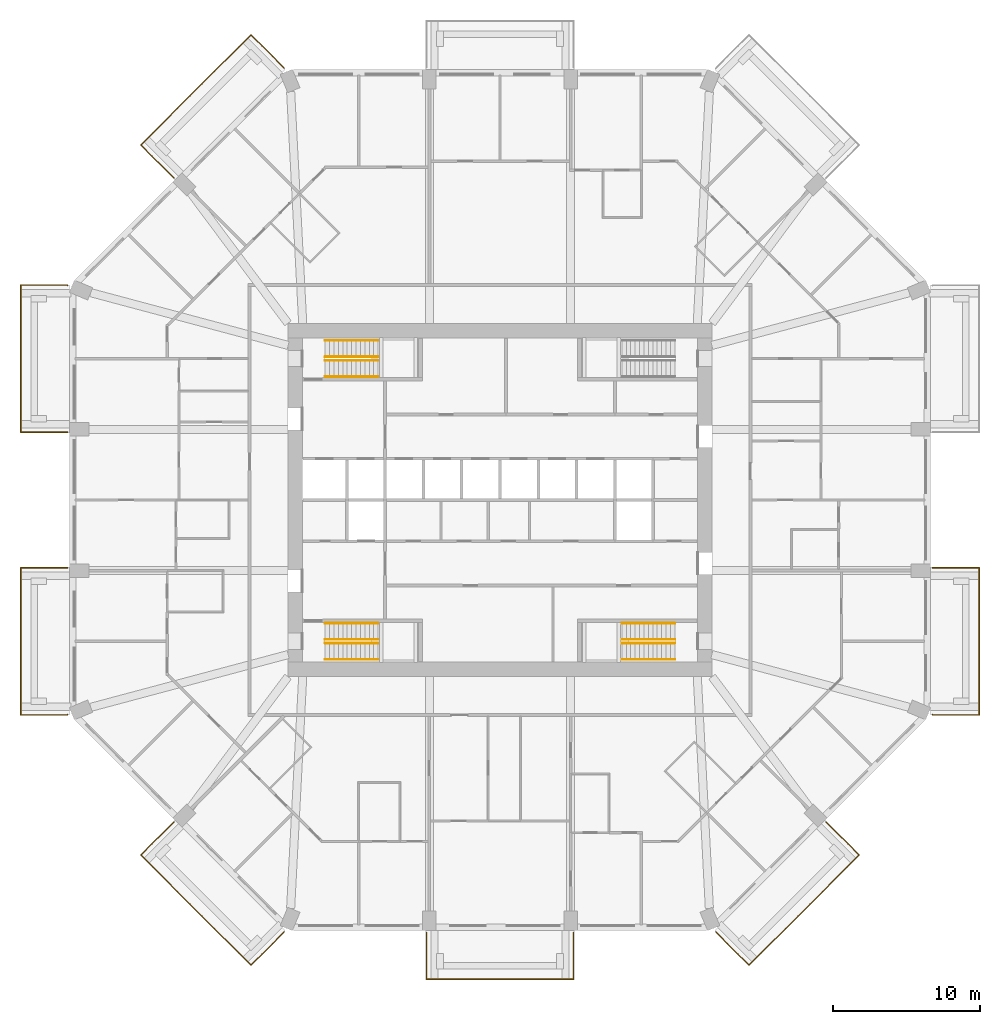
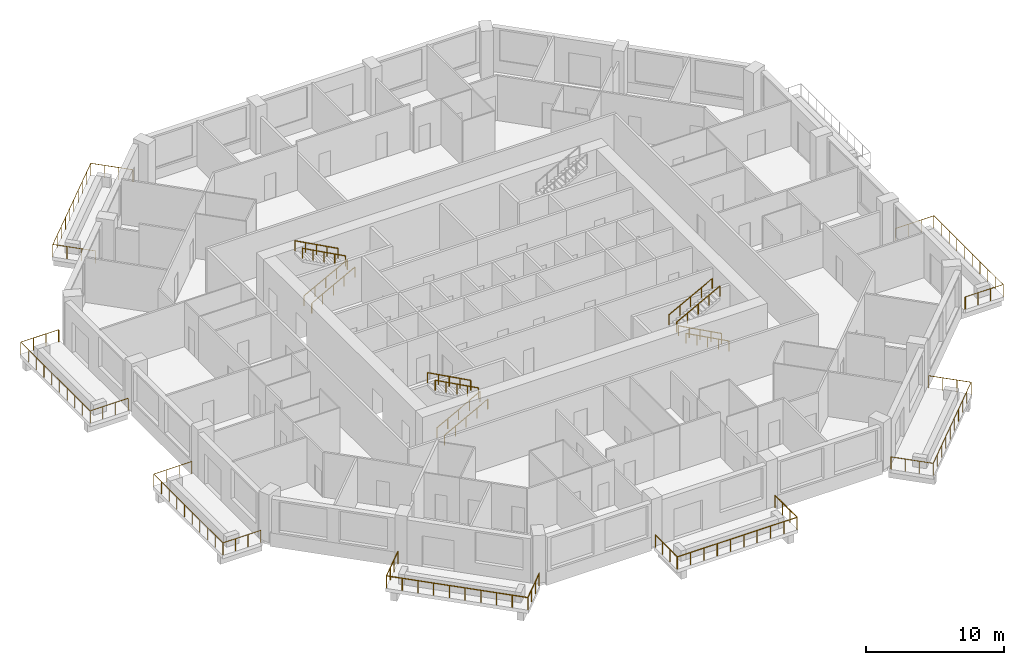
# One storey, part 12 of 13: 19 railings.
"""IFC4 building model written with IfcOpenShell, lengths in metres."""

from ifc_helpers import new_model, si_unit, direction, frame, origin, origin_2d, place, context, subcontext, project, spatial, circle, extrude, material, constituent, constituent_set, type_object, element, save


model = new_model("IFC4")

# Units and contexts
model_context = context("Model", 3, precision=1e-05, world=origin(), true_north=direction((0.0, 1.0)))
body_context = subcontext(model_context, "Body", "Model", "MODEL_VIEW")
ifc_project = project(units=[si_unit("LENGTHUNIT", "METRE"), si_unit("AREAUNIT", "SQUARE_METRE"), si_unit("VOLUMEUNIT", "CUBIC_METRE"), si_unit("PLANEANGLEUNIT", "RADIAN"), si_unit("MASSUNIT", "GRAM", prefix="KILO")], contexts=[model_context])

# Site, building, storey
site_placement = place(None, origin())
site = spatial("IfcSite", under=ifc_project, at=site_placement, CompositionType="ELEMENT")
building_placement = place(site_placement, origin())
building = spatial("IfcBuilding", under=site, at=building_placement, Name="Msitu Wima Residences", CompositionType="ELEMENT")
storey_placement = place(building_placement, frame((0.0, 0.0, 59.10009765625)))
storey = spatial("IfcBuildingStorey", under=building, at=storey_placement, Name="L13", CompositionType="ELEMENT", Elevation=59.10009765625)

# Railings
ifc_material_1 = material(Name="Steel S355", Category="steel")
ifc_constituent_1 = constituent(ifc_material_1, Name="Steel S355")
ifc_material_2 = material(Name="Weathering patina")
ifc_constituent_2 = constituent(ifc_material_2, Name="Weathering patina")
ifc_constituent_set_1 = constituent_set(constituents=[ifc_constituent_1, ifc_constituent_2], Name="Steel S355")
railing_type_1 = type_object("IfcRailingType", Name="Balcony guard GR1100", PredefinedType="GUARDRAIL", material=ifc_constituent_set_1)
railing_1_placement = place(storey_placement, frame((29.3798828125, -4.60009765625, 0.0)))
element("IfcRailing", 1, at=railing_1_placement, inside=storey, type_object=railing_type_1, Name="Balcony guard E0 L13", PredefinedType="GUARDRAIL", context=body_context, shape_type="SweptSolid", body=[
    extrude(circle(Radius=0.02392578125, at=origin_2d()), frame((0.0, 0.0, 1.076171875), z_axis=(1.0, 0.0, 0.0), x_axis=(0.0, 1.0, 0.0)), (0.0, 0.0, 1.0), 3.170166015625),
    extrude(circle(Radius=0.02392578125, at=origin_2d()), frame((3.170166015625, 0.0, 1.076171875), z_axis=(0.0, -1.0, 0.0), x_axis=(1.0, 0.0, 0.0)), (0.0, 0.0, 1.0), 10.0),
    extrude(circle(Radius=0.02392578125, at=origin_2d()), frame((3.170166015625, -10.0, 1.076171875), z_axis=(-1.0, 0.0, 0.0), x_axis=(0.0, -1.0, 0.0)), (0.0, 0.0, 1.0), 3.136474609375),
    extrude(circle(Radius=0.02392578125, at=origin_2d()), frame((0.03369140625, -10.0, 1.076171875), z_axis=(-0.92426142649, 0.38176015442, 0.0), x_axis=(-0.38176015442, -0.92426142649, 0.0)), (0.0, 0.0, 1.0), 0.036376953125),
    extrude(circle(Radius=0.02099609375, at=origin_2d()), origin(), (0.0, 0.0, 1.0), 1.052001953125),
    extrude(circle(Radius=0.02099609375, at=origin_2d()), frame((1.056640625, 0.0, 0.0)), (0.0, 0.0, 1.0), 1.052001953125),
    extrude(circle(Radius=0.02099609375, at=origin_2d()), frame((2.113525390625, 0.0, 0.0)), (0.0, 0.0, 1.0), 1.052001953125),
    extrude(circle(Radius=0.02099609375, at=origin_2d()), frame((3.170166015625, 0.0, 0.0)), (0.0, 0.0, 1.0), 1.052001953125),
    extrude(circle(Radius=0.02099609375, at=origin_2d()), frame((3.170166015625, -1.111083984375, 0.0)), (0.0, 0.0, 1.0), 1.052001953125),
    extrude(circle(Radius=0.02099609375, at=origin_2d()), frame((3.170166015625, -2.22216796875, 0.0)), (0.0, 0.0, 1.0), 1.052001953125),
    extrude(circle(Radius=0.02099609375, at=origin_2d()), frame((3.170166015625, -3.333251953125, 0.0)), (0.0, 0.0, 1.0), 1.052001953125),
    extrude(circle(Radius=0.02099609375, at=origin_2d()), frame((3.170166015625, -4.4443359375, 0.0)), (0.0, 0.0, 1.0), 1.052001953125),
    extrude(circle(Radius=0.02099609375, at=origin_2d()), frame((3.170166015625, -5.5556640625, 0.0)), (0.0, 0.0, 1.0), 1.052001953125),
    extrude(circle(Radius=0.02099609375, at=origin_2d()), frame((3.170166015625, -6.666748046875, 0.0)), (0.0, 0.0, 1.0), 1.052001953125),
    extrude(circle(Radius=0.02099609375, at=origin_2d()), frame((3.170166015625, -7.77783203125, 0.0)), (0.0, 0.0, 1.0), 1.052001953125),
    extrude(circle(Radius=0.02099609375, at=origin_2d()), frame((3.170166015625, -8.888916015625, 0.0)), (0.0, 0.0, 1.0), 1.052001953125),
    extrude(circle(Radius=0.02099609375, at=origin_2d()), frame((3.170166015625, -10.0, 0.0)), (0.0, 0.0, 1.0), 1.052001953125),
    extrude(circle(Radius=0.02099609375, at=origin_2d()), frame((2.124755859375, -10.0, 0.0)), (0.0, 0.0, 1.0), 1.052001953125),
    extrude(circle(Radius=0.02099609375, at=origin_2d()), frame((1.0791015625, -10.0, 0.0)), (0.0, 0.0, 1.0), 1.052001953125),
    extrude(circle(Radius=0.02099609375, at=origin_2d()), frame((0.03369140625, -10.0, 0.0)), (0.0, 0.0, 1.0), 1.052001953125),
    extrude(circle(Radius=0.02099609375, at=origin_2d()), frame((0.0, -9.986083984375, 0.0)), (0.0, 0.0, 1.0), 1.052001953125),
])
railing_2_placement = place(storey_placement, frame((-22.151611328125, 21.86865234375, 0.0)))
element("IfcRailing", 2, at=railing_2_placement, inside=storey, type_object=railing_type_1, Name="Balcony guard NW0 L13", PredefinedType="GUARDRAIL", context=body_context, shape_type="SweptSolid", body=[
    extrude(circle(Radius=0.02392578125, at=origin_2d()), frame((0.0, 0.0, 1.076171875), z_axis=(-0.707068272989, 0.707145287287, 0.0), x_axis=(-0.707145287287, -0.707068272989, 0.0)), (0.0, 0.0, 1.0), 3.170166015625),
    extrude(circle(Radius=0.02392578125, at=origin_2d()), frame((-2.241455078125, 2.24169921875, 1.076171875), z_axis=(0.707118316465, 0.70709524572, 0.0), x_axis=(-0.70709524572, 0.707118316465, 0.0)), (0.0, 0.0, 1.0), 10.582275390625),
    extrude(circle(Radius=0.02392578125, at=origin_2d()), frame((5.241455078125, 9.724365234375, 1.076171875), z_axis=(0.707106781187, -0.707106781187, 0.0), x_axis=(0.707106781187, 0.707106781187, 0.0)), (0.0, 0.0, 1.0), 3.136474609375),
    extrude(circle(Radius=0.02392578125, at=origin_2d()), frame((7.459228515625, 7.506591796875, 1.076171875), z_axis=(0.384136806859, -0.923276184907, 0.0), x_axis=(0.923276184907, 0.384136806859, 0.0)), (0.0, 0.0, 1.0), 0.0361328125),
    extrude(circle(Radius=0.02099609375, at=origin_2d()), origin(), (0.0, 0.0, 1.0), 1.052001953125),
    extrude(circle(Radius=0.02099609375, at=origin_2d()), frame((-0.7470703125, 0.747314453125, 0.0)), (0.0, 0.0, 1.0), 1.052001953125),
    extrude(circle(Radius=0.02099609375, at=origin_2d()), frame((-1.494384765625, 1.494384765625, 0.0)), (0.0, 0.0, 1.0), 1.052001953125),
    extrude(circle(Radius=0.02099609375, at=origin_2d()), frame((-2.241455078125, 2.24169921875, 0.0)), (0.0, 0.0, 1.0), 1.052001953125),
    extrude(circle(Radius=0.02099609375, at=origin_2d()), frame((-1.409912109375, 3.072998046875, 0.0)), (0.0, 0.0, 1.0), 1.052001953125),
    extrude(circle(Radius=0.02099609375, at=origin_2d()), frame((-0.57861328125, 3.904541015625, 0.0)), (0.0, 0.0, 1.0), 1.052001953125),
    extrude(circle(Radius=0.02099609375, at=origin_2d()), frame((0.2529296875, 4.73583984375, 0.0)), (0.0, 0.0, 1.0), 1.052001953125),
    extrude(circle(Radius=0.02099609375, at=origin_2d()), frame((1.084228515625, 5.5673828125, 0.0)), (0.0, 0.0, 1.0), 1.052001953125),
    extrude(circle(Radius=0.02099609375, at=origin_2d()), frame((1.915771484375, 6.398681640625, 0.0)), (0.0, 0.0, 1.0), 1.052001953125),
    extrude(circle(Radius=0.02099609375, at=origin_2d()), frame((2.7470703125, 7.230224609375, 0.0)), (0.0, 0.0, 1.0), 1.052001953125),
    extrude(circle(Radius=0.02099609375, at=origin_2d()), frame((3.57861328125, 8.0615234375, 0.0)), (0.0, 0.0, 1.0), 1.052001953125),
    extrude(circle(Radius=0.02099609375, at=origin_2d()), frame((4.409912109375, 8.89306640625, 0.0)), (0.0, 0.0, 1.0), 1.052001953125),
    extrude(circle(Radius=0.02099609375, at=origin_2d()), frame((5.241455078125, 9.724365234375, 0.0)), (0.0, 0.0, 1.0), 1.052001953125),
    extrude(circle(Radius=0.02099609375, at=origin_2d()), frame((5.980712890625, 8.985107421875, 0.0)), (0.0, 0.0, 1.0), 1.052001953125),
    extrude(circle(Radius=0.02099609375, at=origin_2d()), frame((6.719970703125, 8.245849609375, 0.0)), (0.0, 0.0, 1.0), 1.052001953125),
    extrude(circle(Radius=0.02099609375, at=origin_2d()), frame((7.459228515625, 7.506591796875, 0.0)), (0.0, 0.0, 1.0), 1.052001953125),
    extrude(circle(Radius=0.02099609375, at=origin_2d()), frame((7.47314453125, 7.47314453125, 0.0)), (0.0, 0.0, 1.0), 1.052001953125),
])
railing_3_placement = place(storey_placement, frame((-29.3798828125, 4.60009765625, 0.0)))
element("IfcRailing", 3, at=railing_3_placement, inside=storey, type_object=railing_type_1, Name="Balcony guard W0 L13", PredefinedType="GUARDRAIL", context=body_context, shape_type="SweptSolid", body=[
    extrude(circle(Radius=0.02392578125, at=origin_2d()), frame((0.0, 0.0, 1.076171875), z_axis=(-1.0, 0.0, 0.0), x_axis=(0.0, -1.0, 0.0)), (0.0, 0.0, 1.0), 3.170166015625),
    extrude(circle(Radius=0.02392578125, at=origin_2d()), frame((-3.170166015625, 0.0, 1.076171875), z_axis=(0.0, 1.0, 0.0), x_axis=(-1.0, 0.0, 0.0)), (0.0, 0.0, 1.0), 10.0),
    extrude(circle(Radius=0.02392578125, at=origin_2d()), frame((-3.170166015625, 10.0, 1.076171875), z_axis=(1.0, 0.0, 0.0), x_axis=(0.0, 1.0, 0.0)), (0.0, 0.0, 1.0), 3.136474609375),
    extrude(circle(Radius=0.02392578125, at=origin_2d()), frame((-0.03369140625, 10.0, 1.076171875), z_axis=(0.92426142649, -0.38176015442, 0.0), x_axis=(0.38176015442, 0.92426142649, 0.0)), (0.0, 0.0, 1.0), 0.036376953125),
    extrude(circle(Radius=0.02099609375, at=origin_2d()), origin(), (0.0, 0.0, 1.0), 1.052001953125),
    extrude(circle(Radius=0.02099609375, at=origin_2d()), frame((-1.056640625, 0.0, 0.0)), (0.0, 0.0, 1.0), 1.052001953125),
    extrude(circle(Radius=0.02099609375, at=origin_2d()), frame((-2.113525390625, 0.0, 0.0)), (0.0, 0.0, 1.0), 1.052001953125),
    extrude(circle(Radius=0.02099609375, at=origin_2d()), frame((-3.170166015625, 0.0, 0.0)), (0.0, 0.0, 1.0), 1.052001953125),
    extrude(circle(Radius=0.02099609375, at=origin_2d()), frame((-3.170166015625, 1.111083984375, 0.0)), (0.0, 0.0, 1.0), 1.052001953125),
    extrude(circle(Radius=0.02099609375, at=origin_2d()), frame((-3.170166015625, 2.22216796875, 0.0)), (0.0, 0.0, 1.0), 1.052001953125),
    extrude(circle(Radius=0.02099609375, at=origin_2d()), frame((-3.170166015625, 3.333251953125, 0.0)), (0.0, 0.0, 1.0), 1.052001953125),
    extrude(circle(Radius=0.02099609375, at=origin_2d()), frame((-3.170166015625, 4.4443359375, 0.0)), (0.0, 0.0, 1.0), 1.052001953125),
    extrude(circle(Radius=0.02099609375, at=origin_2d()), frame((-3.170166015625, 5.5556640625, 0.0)), (0.0, 0.0, 1.0), 1.052001953125),
    extrude(circle(Radius=0.02099609375, at=origin_2d()), frame((-3.170166015625, 6.666748046875, 0.0)), (0.0, 0.0, 1.0), 1.052001953125),
    extrude(circle(Radius=0.02099609375, at=origin_2d()), frame((-3.170166015625, 7.77783203125, 0.0)), (0.0, 0.0, 1.0), 1.052001953125),
    extrude(circle(Radius=0.02099609375, at=origin_2d()), frame((-3.170166015625, 8.888916015625, 0.0)), (0.0, 0.0, 1.0), 1.052001953125),
    extrude(circle(Radius=0.02099609375, at=origin_2d()), frame((-3.170166015625, 10.0, 0.0)), (0.0, 0.0, 1.0), 1.052001953125),
    extrude(circle(Radius=0.02099609375, at=origin_2d()), frame((-2.124755859375, 10.0, 0.0)), (0.0, 0.0, 1.0), 1.052001953125),
    extrude(circle(Radius=0.02099609375, at=origin_2d()), frame((-1.0791015625, 10.0, 0.0)), (0.0, 0.0, 1.0), 1.052001953125),
    extrude(circle(Radius=0.02099609375, at=origin_2d()), frame((-0.03369140625, 10.0, 0.0)), (0.0, 0.0, 1.0), 1.052001953125),
    extrude(circle(Radius=0.02099609375, at=origin_2d()), frame((0.0, 9.986083984375, 0.0)), (0.0, 0.0, 1.0), 1.052001953125),
])
railing_4_placement = place(storey_placement, frame((-29.3798828125, -14.586181640625, 0.0)))
element("IfcRailing", 4, at=railing_4_placement, inside=storey, type_object=railing_type_1, Name="Balcony guard W2 L13", PredefinedType="GUARDRAIL", context=body_context, shape_type="SweptSolid", body=[
    extrude(circle(Radius=0.02392578125, at=origin_2d()), frame((0.0, 0.0, 1.076171875), z_axis=(-0.92426142649, -0.38176015442, 0.0), x_axis=(0.38176015442, -0.92426142649, 0.0)), (0.0, 0.0, 1.0), 0.036376953125),
    extrude(circle(Radius=0.02392578125, at=origin_2d()), frame((-0.03369140625, -0.013916015625, 1.076171875), z_axis=(-1.0, 0.0, 0.0), x_axis=(0.0, -1.0, 0.0)), (0.0, 0.0, 1.0), 3.136474609375),
    extrude(circle(Radius=0.02392578125, at=origin_2d()), frame((-3.170166015625, -0.013916015625, 1.076171875), z_axis=(0.0, 1.0, 0.0), x_axis=(-1.0, 0.0, 0.0)), (0.0, 0.0, 1.0), 10.0),
    extrude(circle(Radius=0.02392578125, at=origin_2d()), frame((-3.170166015625, 9.986083984375, 1.076171875), z_axis=(1.0, 0.0, 0.0), x_axis=(0.0, 1.0, 0.0)), (0.0, 0.0, 1.0), 3.170166015625),
    extrude(circle(Radius=0.02099609375, at=origin_2d()), origin(), (0.0, 0.0, 1.0), 1.052001953125),
    extrude(circle(Radius=0.02099609375, at=origin_2d()), frame((-0.03369140625, -0.013916015625, 0.0)), (0.0, 0.0, 1.0), 1.052001953125),
    extrude(circle(Radius=0.02099609375, at=origin_2d()), frame((-1.0791015625, -0.013916015625, 0.0)), (0.0, 0.0, 1.0), 1.052001953125),
    extrude(circle(Radius=0.02099609375, at=origin_2d()), frame((-2.124755859375, -0.013916015625, 0.0)), (0.0, 0.0, 1.0), 1.052001953125),
    extrude(circle(Radius=0.02099609375, at=origin_2d()), frame((-3.170166015625, -0.013916015625, 0.0)), (0.0, 0.0, 1.0), 1.052001953125),
    extrude(circle(Radius=0.02099609375, at=origin_2d()), frame((-3.170166015625, 1.09716796875, 0.0)), (0.0, 0.0, 1.0), 1.052001953125),
    extrude(circle(Radius=0.02099609375, at=origin_2d()), frame((-3.170166015625, 2.208251953125, 0.0)), (0.0, 0.0, 1.0), 1.052001953125),
    extrude(circle(Radius=0.02099609375, at=origin_2d()), frame((-3.170166015625, 3.3193359375, 0.0)), (0.0, 0.0, 1.0), 1.052001953125),
    extrude(circle(Radius=0.02099609375, at=origin_2d()), frame((-3.170166015625, 4.430419921875, 0.0)), (0.0, 0.0, 1.0), 1.052001953125),
    extrude(circle(Radius=0.02099609375, at=origin_2d()), frame((-3.170166015625, 5.541748046875, 0.0)), (0.0, 0.0, 1.0), 1.052001953125),
    extrude(circle(Radius=0.02099609375, at=origin_2d()), frame((-3.170166015625, 6.65283203125, 0.0)), (0.0, 0.0, 1.0), 1.052001953125),
    extrude(circle(Radius=0.02099609375, at=origin_2d()), frame((-3.170166015625, 7.763916015625, 0.0)), (0.0, 0.0, 1.0), 1.052001953125),
    extrude(circle(Radius=0.02099609375, at=origin_2d()), frame((-3.170166015625, 8.875, 0.0)), (0.0, 0.0, 1.0), 1.052001953125),
    extrude(circle(Radius=0.02099609375, at=origin_2d()), frame((-3.170166015625, 9.986083984375, 0.0)), (0.0, 0.0, 1.0), 1.052001953125),
    extrude(circle(Radius=0.02099609375, at=origin_2d()), frame((-2.113525390625, 9.986083984375, 0.0)), (0.0, 0.0, 1.0), 1.052001953125),
    extrude(circle(Radius=0.02099609375, at=origin_2d()), frame((-1.056640625, 9.986083984375, 0.0)), (0.0, 0.0, 1.0), 1.052001953125),
    extrude(circle(Radius=0.02099609375, at=origin_2d()), frame((0.0, 9.986083984375, 0.0)), (0.0, 0.0, 1.0), 1.052001953125),
])
railing_5_placement = place(storey_placement, frame((-14.678466796875, -29.341796875, 0.0)))
element("IfcRailing", 5, at=railing_5_placement, inside=storey, type_object=railing_type_1, Name="Balcony guard SW1 L13", PredefinedType="GUARDRAIL", context=body_context, shape_type="SweptSolid", body=[
    extrude(circle(Radius=0.02392578125, at=origin_2d()), frame((0.0, 0.0, 1.076171875), z_axis=(-0.384136806859, -0.923276184907, 0.0), x_axis=(0.923276184907, -0.384136806859, 0.0)), (0.0, 0.0, 1.0), 0.0361328125),
    extrude(circle(Radius=0.02392578125, at=origin_2d()), frame((-0.013916015625, -0.033447265625, 1.076171875), z_axis=(-0.707106781187, -0.707106781187, 0.0), x_axis=(0.707106781187, -0.707106781187, 0.0)), (0.0, 0.0, 1.0), 3.136474609375),
    extrude(circle(Radius=0.02392578125, at=origin_2d()), frame((-2.231689453125, -2.251220703125, 1.076171875), z_axis=(-0.707118316465, 0.70709524572, 0.0), x_axis=(-0.70709524572, -0.707118316465, 0.0)), (0.0, 0.0, 1.0), 10.582275390625),
    extrude(circle(Radius=0.02392578125, at=origin_2d()), frame((-9.714599609375, 5.2314453125, 1.076171875), z_axis=(0.707068272989, 0.707145287287, 0.0), x_axis=(-0.707145287287, 0.707068272989, 0.0)), (0.0, 0.0, 1.0), 3.170166015625),
    extrude(circle(Radius=0.02099609375, at=origin_2d()), origin(), (0.0, 0.0, 1.0), 1.052001953125),
    extrude(circle(Radius=0.02099609375, at=origin_2d()), frame((-0.013916015625, -0.033447265625, 0.0)), (0.0, 0.0, 1.0), 1.052001953125),
    extrude(circle(Radius=0.02099609375, at=origin_2d()), frame((-0.753173828125, -0.772705078125, 0.0)), (0.0, 0.0, 1.0), 1.052001953125),
    extrude(circle(Radius=0.02099609375, at=origin_2d()), frame((-1.492431640625, -1.511962890625, 0.0)), (0.0, 0.0, 1.0), 1.052001953125),
    extrude(circle(Radius=0.02099609375, at=origin_2d()), frame((-2.231689453125, -2.251220703125, 0.0)), (0.0, 0.0, 1.0), 1.052001953125),
    extrude(circle(Radius=0.02099609375, at=origin_2d()), frame((-3.063232421875, -1.419921875, 0.0)), (0.0, 0.0, 1.0), 1.052001953125),
    extrude(circle(Radius=0.02099609375, at=origin_2d()), frame((-3.89453125, -0.58837890625, 0.0)), (0.0, 0.0, 1.0), 1.052001953125),
    extrude(circle(Radius=0.02099609375, at=origin_2d()), frame((-4.72607421875, 0.242919921875, 0.0)), (0.0, 0.0, 1.0), 1.052001953125),
    extrude(circle(Radius=0.02099609375, at=origin_2d()), frame((-5.557373046875, 1.074462890625, 0.0)), (0.0, 0.0, 1.0), 1.052001953125),
    extrude(circle(Radius=0.02099609375, at=origin_2d()), frame((-6.388916015625, 1.90576171875, 0.0)), (0.0, 0.0, 1.0), 1.052001953125),
    extrude(circle(Radius=0.02099609375, at=origin_2d()), frame((-7.22021484375, 2.7373046875, 0.0)), (0.0, 0.0, 1.0), 1.052001953125),
    extrude(circle(Radius=0.02099609375, at=origin_2d()), frame((-8.0517578125, 3.568603515625, 0.0)), (0.0, 0.0, 1.0), 1.052001953125),
    extrude(circle(Radius=0.02099609375, at=origin_2d()), frame((-8.883056640625, 4.400146484375, 0.0)), (0.0, 0.0, 1.0), 1.052001953125),
    extrude(circle(Radius=0.02099609375, at=origin_2d()), frame((-9.714599609375, 5.2314453125, 0.0)), (0.0, 0.0, 1.0), 1.052001953125),
    extrude(circle(Radius=0.02099609375, at=origin_2d()), frame((-8.967529296875, 5.978759765625, 0.0)), (0.0, 0.0, 1.0), 1.052001953125),
    extrude(circle(Radius=0.02099609375, at=origin_2d()), frame((-8.22021484375, 6.725830078125, 0.0)), (0.0, 0.0, 1.0), 1.052001953125),
    extrude(circle(Radius=0.02099609375, at=origin_2d()), frame((-7.47314453125, 7.47314453125, 0.0)), (0.0, 0.0, 1.0), 1.052001953125),
])
railing_6_placement = place(storey_placement, frame((5.0, -29.3798828125, 0.0)))
element("IfcRailing", 6, at=railing_6_placement, inside=storey, type_object=railing_type_1, Name="Balcony guard S1 L13", PredefinedType="GUARDRAIL", context=body_context, shape_type="SweptSolid", body=[
    extrude(circle(Radius=0.02392578125, at=origin_2d()), frame((0.0, 0.0, 1.076171875), z_axis=(0.0, -1.0, 0.0), x_axis=(1.0, 0.0, 0.0)), (0.0, 0.0, 1.0), 3.170166015625),
    extrude(circle(Radius=0.02392578125, at=origin_2d()), frame((0.0, -3.170166015625, 1.076171875), z_axis=(-1.0, 0.0, 0.0), x_axis=(0.0, -1.0, 0.0)), (0.0, 0.0, 1.0), 10.0),
    extrude(circle(Radius=0.02392578125, at=origin_2d()), frame((-10.0, -3.170166015625, 1.076171875), z_axis=(0.0, 1.0, 0.0), x_axis=(-1.0, 0.0, 0.0)), (0.0, 0.0, 1.0), 3.170166015625),
    extrude(circle(Radius=0.02099609375, at=origin_2d()), origin(), (0.0, 0.0, 1.0), 1.052001953125),
    extrude(circle(Radius=0.02099609375, at=origin_2d()), frame((0.0, -1.056640625, 0.0)), (0.0, 0.0, 1.0), 1.052001953125),
    extrude(circle(Radius=0.02099609375, at=origin_2d()), frame((0.0, -2.113525390625, 0.0)), (0.0, 0.0, 1.0), 1.052001953125),
    extrude(circle(Radius=0.02099609375, at=origin_2d()), frame((0.0, -3.170166015625, 0.0)), (0.0, 0.0, 1.0), 1.052001953125),
    extrude(circle(Radius=0.02099609375, at=origin_2d()), frame((-1.111083984375, -3.170166015625, 0.0)), (0.0, 0.0, 1.0), 1.052001953125),
    extrude(circle(Radius=0.02099609375, at=origin_2d()), frame((-2.22216796875, -3.170166015625, 0.0)), (0.0, 0.0, 1.0), 1.052001953125),
    extrude(circle(Radius=0.02099609375, at=origin_2d()), frame((-3.333251953125, -3.170166015625, 0.0)), (0.0, 0.0, 1.0), 1.052001953125),
    extrude(circle(Radius=0.02099609375, at=origin_2d()), frame((-4.4443359375, -3.170166015625, 0.0)), (0.0, 0.0, 1.0), 1.052001953125),
    extrude(circle(Radius=0.02099609375, at=origin_2d()), frame((-5.5556640625, -3.170166015625, 0.0)), (0.0, 0.0, 1.0), 1.052001953125),
    extrude(circle(Radius=0.02099609375, at=origin_2d()), frame((-6.666748046875, -3.170166015625, 0.0)), (0.0, 0.0, 1.0), 1.052001953125),
    extrude(circle(Radius=0.02099609375, at=origin_2d()), frame((-7.77783203125, -3.170166015625, 0.0)), (0.0, 0.0, 1.0), 1.052001953125),
    extrude(circle(Radius=0.02099609375, at=origin_2d()), frame((-8.888916015625, -3.170166015625, 0.0)), (0.0, 0.0, 1.0), 1.052001953125),
    extrude(circle(Radius=0.02099609375, at=origin_2d()), frame((-10.0, -3.170166015625, 0.0)), (0.0, 0.0, 1.0), 1.052001953125),
    extrude(circle(Radius=0.02099609375, at=origin_2d()), frame((-10.0, -2.113525390625, 0.0)), (0.0, 0.0, 1.0), 1.052001953125),
    extrude(circle(Radius=0.02099609375, at=origin_2d()), frame((-10.0, -1.056640625, 0.0)), (0.0, 0.0, 1.0), 1.052001953125),
    extrude(circle(Radius=0.02099609375, at=origin_2d()), frame((-10.0, 0.0, 0.0)), (0.0, 0.0, 1.0), 1.052001953125),
])
railing_7_placement = place(storey_placement, frame((22.151611328125, -21.86865234375, 0.0)))
element("IfcRailing", 7, at=railing_7_placement, inside=storey, type_object=railing_type_1, Name="Balcony guard SE0 L13", PredefinedType="GUARDRAIL", context=body_context, shape_type="SweptSolid", body=[
    extrude(circle(Radius=0.02392578125, at=origin_2d()), frame((0.0, 0.0, 1.076171875), z_axis=(0.707068272989, -0.707145287287, 0.0), x_axis=(0.707145287287, 0.707068272989, 0.0)), (0.0, 0.0, 1.0), 3.170166015625),
    extrude(circle(Radius=0.02392578125, at=origin_2d()), frame((2.241455078125, -2.24169921875, 1.076171875), z_axis=(-0.707118316465, -0.70709524572, 0.0), x_axis=(0.70709524572, -0.707118316465, 0.0)), (0.0, 0.0, 1.0), 10.582275390625),
    extrude(circle(Radius=0.02392578125, at=origin_2d()), frame((-5.241455078125, -9.724365234375, 1.076171875), z_axis=(-0.707106781187, 0.707106781187, 0.0), x_axis=(-0.707106781187, -0.707106781187, 0.0)), (0.0, 0.0, 1.0), 3.136474609375),
    extrude(circle(Radius=0.02392578125, at=origin_2d()), frame((-7.459228515625, -7.506591796875, 1.076171875), z_axis=(-0.384136806859, 0.923276184907, 0.0), x_axis=(-0.923276184907, -0.384136806859, 0.0)), (0.0, 0.0, 1.0), 0.0361328125),
    extrude(circle(Radius=0.02099609375, at=origin_2d()), origin(), (0.0, 0.0, 1.0), 1.052001953125),
    extrude(circle(Radius=0.02099609375, at=origin_2d()), frame((0.7470703125, -0.747314453125, 0.0)), (0.0, 0.0, 1.0), 1.052001953125),
    extrude(circle(Radius=0.02099609375, at=origin_2d()), frame((1.494384765625, -1.494384765625, 0.0)), (0.0, 0.0, 1.0), 1.052001953125),
    extrude(circle(Radius=0.02099609375, at=origin_2d()), frame((2.241455078125, -2.24169921875, 0.0)), (0.0, 0.0, 1.0), 1.052001953125),
    extrude(circle(Radius=0.02099609375, at=origin_2d()), frame((1.409912109375, -3.072998046875, 0.0)), (0.0, 0.0, 1.0), 1.052001953125),
    extrude(circle(Radius=0.02099609375, at=origin_2d()), frame((0.57861328125, -3.904541015625, 0.0)), (0.0, 0.0, 1.0), 1.052001953125),
    extrude(circle(Radius=0.02099609375, at=origin_2d()), frame((-0.2529296875, -4.73583984375, 0.0)), (0.0, 0.0, 1.0), 1.052001953125),
    extrude(circle(Radius=0.02099609375, at=origin_2d()), frame((-1.084228515625, -5.5673828125, 0.0)), (0.0, 0.0, 1.0), 1.052001953125),
    extrude(circle(Radius=0.02099609375, at=origin_2d()), frame((-1.915771484375, -6.398681640625, 0.0)), (0.0, 0.0, 1.0), 1.052001953125),
    extrude(circle(Radius=0.02099609375, at=origin_2d()), frame((-2.7470703125, -7.230224609375, 0.0)), (0.0, 0.0, 1.0), 1.052001953125),
    extrude(circle(Radius=0.02099609375, at=origin_2d()), frame((-3.57861328125, -8.0615234375, 0.0)), (0.0, 0.0, 1.0), 1.052001953125),
    extrude(circle(Radius=0.02099609375, at=origin_2d()), frame((-4.409912109375, -8.89306640625, 0.0)), (0.0, 0.0, 1.0), 1.052001953125),
    extrude(circle(Radius=0.02099609375, at=origin_2d()), frame((-5.241455078125, -9.724365234375, 0.0)), (0.0, 0.0, 1.0), 1.052001953125),
    extrude(circle(Radius=0.02099609375, at=origin_2d()), frame((-5.980712890625, -8.985107421875, 0.0)), (0.0, 0.0, 1.0), 1.052001953125),
    extrude(circle(Radius=0.02099609375, at=origin_2d()), frame((-6.719970703125, -8.245849609375, 0.0)), (0.0, 0.0, 1.0), 1.052001953125),
    extrude(circle(Radius=0.02099609375, at=origin_2d()), frame((-7.459228515625, -7.506591796875, 0.0)), (0.0, 0.0, 1.0), 1.052001953125),
    extrude(circle(Radius=0.02099609375, at=origin_2d()), frame((-7.47314453125, -7.47314453125, 0.0)), (0.0, 0.0, 1.0), 1.052001953125),
])
ifc_constituent_3 = constituent(ifc_material_1, Name="Steel S355")
ifc_material_3 = material(Name="Black powder coating")
ifc_constituent_4 = constituent(ifc_material_3, Name="Black powder coating")
ifc_constituent_set_2 = constituent_set(constituents=[ifc_constituent_3, ifc_constituent_4], Name="Steel S355")
railing_type_2 = type_object("IfcRailingType", Name="Stair handrail HR1", PredefinedType="HANDRAIL", material=ifc_constituent_set_2)
for number, where, name in (
    (8, (-11.875, 8.375, 0.161376953125), "Stair 1 handrail"),
    (9, (-11.875, 9.47509765625, 0.161376953125), "Stair 1 handrail"),
):
    element("IfcRailing", number, at=place(storey_placement, frame(where)), inside=storey, type_object=railing_type_2, Name=name, PredefinedType="HANDRAIL", context=body_context, shape_type="SweptSolid", body=[
        extrude(circle(Radius=0.02392578125, at=origin_2d()), frame((0.0, 0.0, 0.8759765625), z_axis=(0.880474934443, 0.0, 0.474092701714), x_axis=(0.0, 1.0, 0.0)), (0.0, 0.0, 1.0), 4.0888671875),
        extrude(circle(Radius=0.02099609375, at=origin_2d()), origin(), (0.0, 0.0, 1.0), 0.851806640625),
        extrude(circle(Radius=0.02099609375, at=origin_2d()), frame((0.89990234375, 0.0, 0.484619140625)), (0.0, 0.0, 1.0), 0.851806640625),
        extrude(circle(Radius=0.02099609375, at=origin_2d()), frame((1.800048828125, 0.0, 0.96923828125)), (0.0, 0.0, 1.0), 0.851806640625),
        extrude(circle(Radius=0.02099609375, at=origin_2d()), frame((2.7001953125, 0.0, 1.453857421875)), (0.0, 0.0, 1.0), 0.851806640625),
        extrude(circle(Radius=0.02099609375, at=origin_2d()), frame((3.60009765625, 0.0, 1.9384765625)), (0.0, 0.0, 1.0), 0.851806640625),
    ])
for number, where, name in (
    (10, (-8.27490234375, 9.72509765625, 2.261474609375), "Stair 1 handrail"),
    (11, (-8.27490234375, 10.824951171875, 2.261474609375), "Stair 1 handrail"),
):
    element("IfcRailing", number, at=place(storey_placement, frame(where)), inside=storey, type_object=railing_type_2, Name=name, PredefinedType="HANDRAIL", context=body_context, shape_type="SweptSolid", body=[
        extrude(circle(Radius=0.02392578125, at=origin_2d()), frame((0.0, 0.0, 0.8759765625), z_axis=(-0.880474934443, 0.0, 0.474092701714), x_axis=(0.0, -1.0, 0.0)), (0.0, 0.0, 1.0), 4.0888671875),
        extrude(circle(Radius=0.02099609375, at=origin_2d()), origin(), (0.0, 0.0, 1.0), 0.851806640625),
        extrude(circle(Radius=0.02099609375, at=origin_2d()), frame((-0.89990234375, 0.0, 0.484619140625)), (0.0, 0.0, 1.0), 0.851806640625),
        extrude(circle(Radius=0.02099609375, at=origin_2d()), frame((-1.800048828125, 0.0, 0.96923828125)), (0.0, 0.0, 1.0), 0.851806640625),
        extrude(circle(Radius=0.02099609375, at=origin_2d()), frame((-2.7001953125, 0.0, 1.453857421875)), (0.0, 0.0, 1.0), 0.851806640625),
        extrude(circle(Radius=0.02099609375, at=origin_2d()), frame((-3.60009765625, 0.0, 1.9384765625)), (0.0, 0.0, 1.0), 0.851806640625),
    ])
for number, where, name in (
    (12, (-11.875, -10.824951171875, 0.161376953125), "Stair 2 handrail"),
    (13, (-11.875, -9.72509765625, 0.161376953125), "Stair 2 handrail"),
):
    element("IfcRailing", number, at=place(storey_placement, frame(where)), inside=storey, type_object=railing_type_2, Name=name, PredefinedType="HANDRAIL", context=body_context, shape_type="SweptSolid", body=[
        extrude(circle(Radius=0.02392578125, at=origin_2d()), frame((0.0, 0.0, 0.8759765625), z_axis=(0.880474934443, 0.0, 0.474092701714), x_axis=(0.0, 1.0, 0.0)), (0.0, 0.0, 1.0), 4.0888671875),
        extrude(circle(Radius=0.02099609375, at=origin_2d()), origin(), (0.0, 0.0, 1.0), 0.851806640625),
        extrude(circle(Radius=0.02099609375, at=origin_2d()), frame((0.89990234375, 0.0, 0.484619140625)), (0.0, 0.0, 1.0), 0.851806640625),
        extrude(circle(Radius=0.02099609375, at=origin_2d()), frame((1.800048828125, 0.0, 0.96923828125)), (0.0, 0.0, 1.0), 0.851806640625),
        extrude(circle(Radius=0.02099609375, at=origin_2d()), frame((2.7001953125, 0.0, 1.453857421875)), (0.0, 0.0, 1.0), 0.851806640625),
        extrude(circle(Radius=0.02099609375, at=origin_2d()), frame((3.60009765625, 0.0, 1.9384765625)), (0.0, 0.0, 1.0), 0.851806640625),
    ])
for number, where, name in (
    (14, (-8.27490234375, -9.47509765625, 2.261474609375), "Stair 2 handrail"),
    (15, (-8.27490234375, -8.375, 2.261474609375), "Stair 2 handrail"),
    (16, (11.875, -10.824951171875, 0.161376953125), "Stair 4 handrail"),
    (17, (11.875, -9.72509765625, 0.161376953125), "Stair 4 handrail"),
):
    element("IfcRailing", number, at=place(storey_placement, frame(where)), inside=storey, type_object=railing_type_2, Name=name, PredefinedType="HANDRAIL", context=body_context, shape_type="SweptSolid", body=[
        extrude(circle(Radius=0.02392578125, at=origin_2d()), frame((0.0, 0.0, 0.8759765625), z_axis=(-0.880474934443, 0.0, 0.474092701714), x_axis=(0.0, -1.0, 0.0)), (0.0, 0.0, 1.0), 4.0888671875),
        extrude(circle(Radius=0.02099609375, at=origin_2d()), origin(), (0.0, 0.0, 1.0), 0.851806640625),
        extrude(circle(Radius=0.02099609375, at=origin_2d()), frame((-0.89990234375, 0.0, 0.484619140625)), (0.0, 0.0, 1.0), 0.851806640625),
        extrude(circle(Radius=0.02099609375, at=origin_2d()), frame((-1.800048828125, 0.0, 0.96923828125)), (0.0, 0.0, 1.0), 0.851806640625),
        extrude(circle(Radius=0.02099609375, at=origin_2d()), frame((-2.7001953125, 0.0, 1.453857421875)), (0.0, 0.0, 1.0), 0.851806640625),
        extrude(circle(Radius=0.02099609375, at=origin_2d()), frame((-3.60009765625, 0.0, 1.9384765625)), (0.0, 0.0, 1.0), 0.851806640625),
    ])
for number, where, name in (
    (18, (8.27490234375, -9.47509765625, 2.261474609375), "Stair 4 handrail"),
    (19, (8.27490234375, -8.375, 2.261474609375), "Stair 4 handrail"),
):
    element("IfcRailing", number, at=place(storey_placement, frame(where)), inside=storey, type_object=railing_type_2, Name=name, PredefinedType="HANDRAIL", context=body_context, shape_type="SweptSolid", body=[
        extrude(circle(Radius=0.02392578125, at=origin_2d()), frame((0.0, 0.0, 0.8759765625), z_axis=(0.880474934443, 0.0, 0.474092701714), x_axis=(0.0, 1.0, 0.0)), (0.0, 0.0, 1.0), 4.0888671875),
        extrude(circle(Radius=0.02099609375, at=origin_2d()), origin(), (0.0, 0.0, 1.0), 0.851806640625),
        extrude(circle(Radius=0.02099609375, at=origin_2d()), frame((0.89990234375, 0.0, 0.484619140625)), (0.0, 0.0, 1.0), 0.851806640625),
        extrude(circle(Radius=0.02099609375, at=origin_2d()), frame((1.800048828125, 0.0, 0.96923828125)), (0.0, 0.0, 1.0), 0.851806640625),
        extrude(circle(Radius=0.02099609375, at=origin_2d()), frame((2.7001953125, 0.0, 1.453857421875)), (0.0, 0.0, 1.0), 0.851806640625),
        extrude(circle(Radius=0.02099609375, at=origin_2d()), frame((3.60009765625, 0.0, 1.9384765625)), (0.0, 0.0, 1.0), 0.851806640625),
    ])

save(model, "model.ifc")
